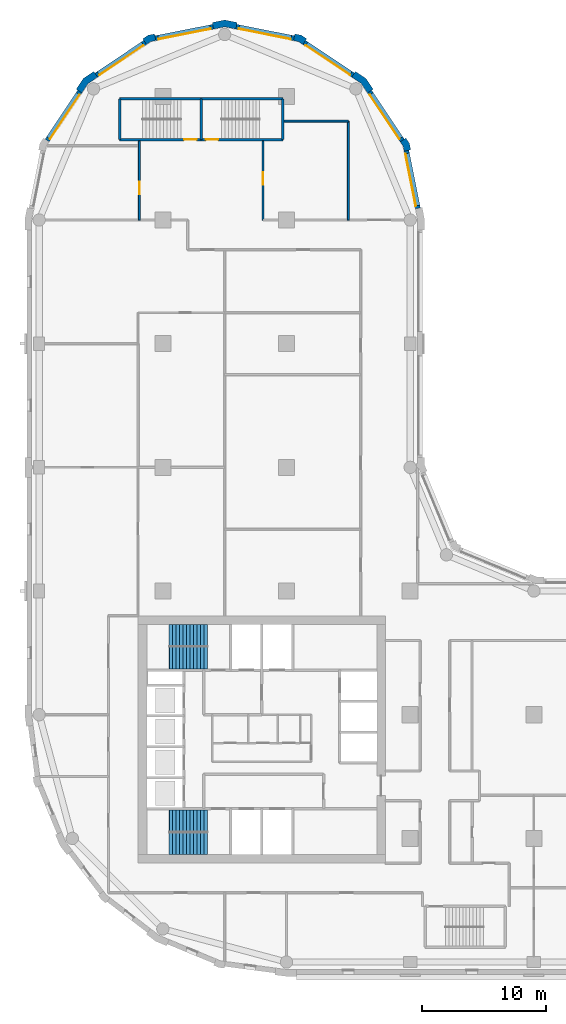
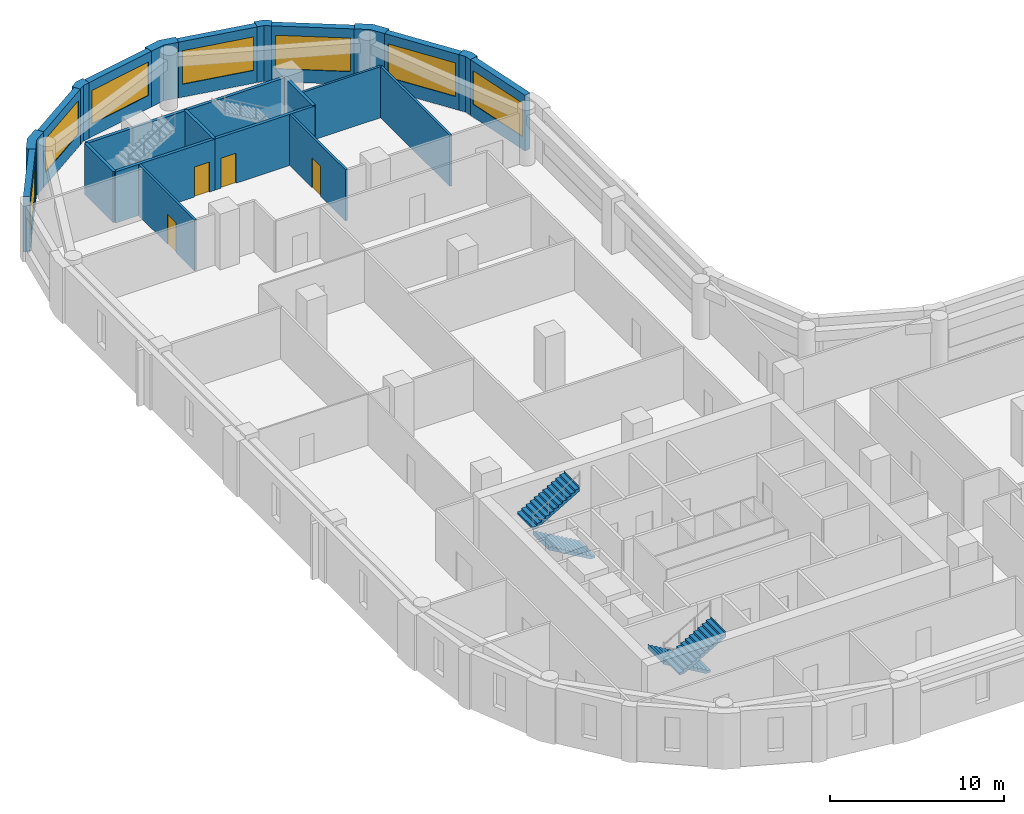
# One storey, part 7 of 10: 24 walls, 7 windows, 4 doors, 4 stair flights, 11 openings, 2 elements without a shape of their own.
"""IFC4 building model written with IfcOpenShell, lengths in metres."""

from ifc_helpers import new_model, si_unit, direction, frame, frame_2d, origin, place, context, subcontext, project, spatial, polyline, rectangle, outline, extrude, material, layer, layer_set, type_object, element, fill, aggregate, save


model = new_model("IFC4")

# Units and contexts
model_context = context("Model", 3, precision=1e-05, world=origin(), true_north=direction((0.0, 1.0)))
body_context = subcontext(model_context, "Body", "Model", "MODEL_VIEW")
ifc_project = project(units=[si_unit("LENGTHUNIT", "METRE"), si_unit("AREAUNIT", "SQUARE_METRE"), si_unit("VOLUMEUNIT", "CUBIC_METRE"), si_unit("PLANEANGLEUNIT", "RADIAN"), si_unit("MASSUNIT", "GRAM", prefix="KILO")], contexts=[model_context])

# Site, building, storey
site_placement = place(None, origin())
site = spatial("IfcSite", under=ifc_project, at=site_placement, CompositionType="ELEMENT")
building_placement = place(site_placement, origin())
building = spatial("IfcBuilding", under=site, at=building_placement, Name="Qaws Garden Tower", CompositionType="ELEMENT")
storey_placement = place(building_placement, frame((0.0, 0.0, 209.699951171875)))
storey = spatial("IfcBuildingStorey", under=building, at=storey_placement, Name="L51", CompositionType="ELEMENT", Elevation=209.699951171875)

# Wall, opening, window
ifc_material_1 = material(Name="Clay facing brick masonry", Category="masonry")
ifc_layer_1 = layer(ifc_material_1, 0.39990234375)
ifc_layer_set_1 = layer_set([ifc_layer_1], Name="Clay facing brick masonry")
wall_type_1 = type_object("IfcWallType", Name="Brick infill wall 400", PredefinedType="SOLIDWALL", material=ifc_layer_set_1)
wall_1_placement = place(storey_placement, frame((30.628662109375, 60.940673828125, 0.0), z_axis=(0.0, 0.0, 1.0), x_axis=(-0.195098533057, 0.98078364709, 0.0)))
wall_1 = element("IfcWall", 1, at=wall_1_placement, inside=storey, type_object=wall_type_1, Name="E-L51-infill-13", PredefinedType="SOLIDWALL", context=body_context, shape_type="SweptSolid", body=[
    extrude(rectangle(XDim=4.752685546875, YDim=0.39990234375, at=frame_2d((2.37646484375, 0.0))), origin(), (0.0, 0.0, 1.0), 3.900146484375),
])
opening_1_placement = place(wall_1_placement, frame((0.226318359375, 0.0, 0.89990234375)))
opening_1 = element("IfcOpeningElement", 2, at=opening_1_placement, cuts=wall_1, Name="Opening W06", PredefinedType="OPENING", context=body_context, shape_type="SweptSolid", body=[
    extrude(rectangle(XDim=4.300048828125, YDim=2.35009765625, at=frame_2d((2.14990234375, 1.175048828125))), frame((0.0, 0.2099609375, 0.0), z_axis=(0.0, -1.0, 0.0), x_axis=(1.0, 0.0, 0.0)), (0.0, 0.0, 1.0), 0.419921875),
])
ifc_material_2 = material(Name="Aluminium framed window, clear glazing", Category="aluminium")
window_type = type_object("IfcWindowType", Name="Ribbon window 4300 x 2350", PartitioningType="DOUBLE_PANEL_VERTICAL", PredefinedType="WINDOW", material=ifc_material_2)
window_1_placement = place(opening_1_placement, origin())
window_1 = element("IfcWindow", 3, at=window_1_placement, inside=storey, type_object=window_type, Name="E-L51-window-13-0", OverallHeight=2.35009765625, OverallWidth=4.300048828125, PartitioningType="SINGLE_PANEL", PredefinedType="WINDOW", context=body_context, shape_type="SweptSolid", body=[
    extrude(rectangle(XDim=4.300048828125, YDim=2.35009765625, at=frame_2d((2.14990234375, 1.175048828125))), frame((0.0, 0.159912109375, 0.0), z_axis=(0.0, -1.0, 0.0), x_axis=(1.0, 0.0, 0.0)), (0.0, 0.0, 1.0), 0.06005859375),
])
fill(opening_1, window_1)

wall_2_placement = place(storey_placement, frame((29.356689453125, 66.43408203125, 0.0), z_axis=(0.0, 0.0, 1.0), x_axis=(-0.555541552266, 0.831488775454, 0.0)))
wall_2 = element("IfcWall", 4, at=wall_2_placement, inside=storey, type_object=wall_type_1, Name="E-L51-infill-14", PredefinedType="SOLIDWALL", context=body_context, shape_type="SweptSolid", body=[
    extrude(rectangle(XDim=4.752685546875, YDim=0.39990234375, at=frame_2d((2.37646484375, 0.0))), origin(), (0.0, 0.0, 1.0), 3.900146484375),
])
opening_2_placement = place(wall_2_placement, frame((0.226318359375, 0.0, 0.89990234375)))
opening_2 = element("IfcOpeningElement", 5, at=opening_2_placement, cuts=wall_2, Name="Opening W06", PredefinedType="OPENING", context=body_context, shape_type="SweptSolid", body=[
    extrude(rectangle(XDim=4.300048828125, YDim=2.35009765625, at=frame_2d((2.14990234375, 1.175048828125))), frame((0.0, 0.2099609375, 0.0), z_axis=(0.0, -1.0, 0.0), x_axis=(1.0, 0.0, 0.0)), (0.0, 0.0, 1.0), 0.419921875),
])
window_2_placement = place(opening_2_placement, origin())
window_2 = element("IfcWindow", 6, at=window_2_placement, inside=storey, type_object=window_type, Name="E-L51-window-14-0", OverallHeight=2.35009765625, OverallWidth=4.300048828125, PartitioningType="SINGLE_PANEL", PredefinedType="WINDOW", context=body_context, shape_type="SweptSolid", body=[
    extrude(rectangle(XDim=4.300048828125, YDim=2.35009765625, at=frame_2d((2.14990234375, 1.175048828125))), frame((0.0, 0.159912109375, 0.0), z_axis=(0.0, -1.0, 0.0), x_axis=(1.0, 0.0, 0.0)), (0.0, 0.0, 1.0), 0.06005859375),
])
fill(opening_2, window_2)

wall_3_placement = place(storey_placement, frame((25.385986328125, 71.71630859375, 0.0), z_axis=(0.0, 0.0, 1.0), x_axis=(-0.831488775454, 0.555541552266, 0.0)))
wall_3 = element("IfcWall", 7, at=wall_3_placement, inside=storey, type_object=wall_type_1, Name="E-L51-infill-15", PredefinedType="SOLIDWALL", context=body_context, shape_type="SweptSolid", body=[
    extrude(rectangle(XDim=4.752685546875, YDim=0.39990234375, at=frame_2d((2.37646484375, 0.0))), origin(), (0.0, 0.0, 1.0), 3.900146484375),
])
opening_3_placement = place(wall_3_placement, frame((0.226318359375, 0.0, 0.89990234375)))
opening_3 = element("IfcOpeningElement", 8, at=opening_3_placement, cuts=wall_3, Name="Opening W06", PredefinedType="OPENING", context=body_context, shape_type="SweptSolid", body=[
    extrude(rectangle(XDim=4.300048828125, YDim=2.35009765625, at=frame_2d((2.14990234375, 1.175048828125))), frame((0.0, 0.2099609375, 0.0), z_axis=(0.0, -1.0, 0.0), x_axis=(1.0, 0.0, 0.0)), (0.0, 0.0, 1.0), 0.419921875),
])
window_3_placement = place(opening_3_placement, origin())
window_3 = element("IfcWindow", 9, at=window_3_placement, inside=storey, type_object=window_type, Name="E-L51-window-15-0", OverallHeight=2.35009765625, OverallWidth=4.300048828125, PartitioningType="SINGLE_PANEL", PredefinedType="WINDOW", context=body_context, shape_type="SweptSolid", body=[
    extrude(rectangle(XDim=4.300048828125, YDim=2.35009765625, at=frame_2d((2.14990234375, 1.175048828125))), frame((0.0, 0.159912109375, 0.0), z_axis=(0.0, -1.0, 0.0), x_axis=(1.0, 0.0, 0.0)), (0.0, 0.0, 1.0), 0.06005859375),
])
fill(opening_3, window_3)

wall_4_placement = place(storey_placement, frame((20.60205078125, 74.701416015625, 0.0), z_axis=(0.0, 0.0, 1.0), x_axis=(-0.98078364709, 0.195098533057, 0.0)))
wall_4 = element("IfcWall", 10, at=wall_4_placement, inside=storey, type_object=wall_type_1, Name="E-L51-infill-16", PredefinedType="SOLIDWALL", context=body_context, shape_type="SweptSolid", body=[
    extrude(rectangle(XDim=4.752685546875, YDim=0.39990234375, at=frame_2d((2.37646484375, 0.0))), origin(), (0.0, 0.0, 1.0), 3.900146484375),
])
opening_4_placement = place(wall_4_placement, frame((0.226318359375, 0.0, 0.89990234375)))
opening_4 = element("IfcOpeningElement", 11, at=opening_4_placement, cuts=wall_4, Name="Opening W06", PredefinedType="OPENING", context=body_context, shape_type="SweptSolid", body=[
    extrude(rectangle(XDim=4.300048828125, YDim=2.35009765625, at=frame_2d((2.14990234375, 1.175048828125))), frame((0.0, 0.2099609375, 0.0), z_axis=(0.0, -1.0, 0.0), x_axis=(1.0, 0.0, 0.0)), (0.0, 0.0, 1.0), 0.419921875),
])
window_4_placement = place(opening_4_placement, origin())
window_4 = element("IfcWindow", 12, at=window_4_placement, inside=storey, type_object=window_type, Name="E-L51-window-16-0", OverallHeight=2.35009765625, OverallWidth=4.300048828125, PartitioningType="SINGLE_PANEL", PredefinedType="WINDOW", context=body_context, shape_type="SweptSolid", body=[
    extrude(rectangle(XDim=4.300048828125, YDim=2.35009765625, at=frame_2d((2.14990234375, 1.175048828125))), frame((0.0, 0.159912109375, 0.0), z_axis=(0.0, -1.0, 0.0), x_axis=(1.0, 0.0, 0.0)), (0.0, 0.0, 1.0), 0.06005859375),
])
fill(opening_4, window_4)

wall_5_placement = place(storey_placement, frame((14.059326171875, 75.628662109375, 0.0), z_axis=(0.0, 0.0, 1.0), x_axis=(-0.98078364709, -0.195098533057, 0.0)))
wall_5 = element("IfcWall", 13, at=wall_5_placement, inside=storey, type_object=wall_type_1, Name="E-L51-infill-17", PredefinedType="SOLIDWALL", context=body_context, shape_type="SweptSolid", body=[
    extrude(rectangle(XDim=4.752685546875, YDim=0.39990234375, at=frame_2d((2.37646484375, 0.0))), origin(), (0.0, 0.0, 1.0), 3.900146484375),
])
opening_5_placement = place(wall_5_placement, frame((0.226318359375, 0.0, 0.89990234375)))
opening_5 = element("IfcOpeningElement", 14, at=opening_5_placement, cuts=wall_5, Name="Opening W06", PredefinedType="OPENING", context=body_context, shape_type="SweptSolid", body=[
    extrude(rectangle(XDim=4.300048828125, YDim=2.35009765625, at=frame_2d((2.14990234375, 1.175048828125))), frame((0.0, 0.2099609375, 0.0), z_axis=(0.0, -1.0, 0.0), x_axis=(1.0, 0.0, 0.0)), (0.0, 0.0, 1.0), 0.419921875),
])
window_5_placement = place(opening_5_placement, origin())
window_5 = element("IfcWindow", 15, at=window_5_placement, inside=storey, type_object=window_type, Name="E-L51-window-17-0", OverallHeight=2.35009765625, OverallWidth=4.300048828125, PartitioningType="SINGLE_PANEL", PredefinedType="WINDOW", context=body_context, shape_type="SweptSolid", body=[
    extrude(rectangle(XDim=4.300048828125, YDim=2.35009765625, at=frame_2d((2.14990234375, 1.175048828125))), frame((0.0, 0.159912109375, 0.0), z_axis=(0.0, -1.0, 0.0), x_axis=(1.0, 0.0, 0.0)), (0.0, 0.0, 1.0), 0.06005859375),
])
fill(opening_5, window_5)

wall_6_placement = place(storey_placement, frame((8.56591796875, 74.356689453125, 0.0), z_axis=(0.0, 0.0, 1.0), x_axis=(-0.831488775454, -0.555541552266, 0.0)))
wall_6 = element("IfcWall", 16, at=wall_6_placement, inside=storey, type_object=wall_type_1, Name="E-L51-infill-18", PredefinedType="SOLIDWALL", context=body_context, shape_type="SweptSolid", body=[
    extrude(rectangle(XDim=4.752685546875, YDim=0.39990234375, at=frame_2d((2.37646484375, 0.0))), origin(), (0.0, 0.0, 1.0), 3.900146484375),
])
opening_6_placement = place(wall_6_placement, frame((0.226318359375, 0.0, 0.89990234375)))
opening_6 = element("IfcOpeningElement", 17, at=opening_6_placement, cuts=wall_6, Name="Opening W06", PredefinedType="OPENING", context=body_context, shape_type="SweptSolid", body=[
    extrude(rectangle(XDim=4.300048828125, YDim=2.35009765625, at=frame_2d((2.14990234375, 1.175048828125))), frame((0.0, 0.2099609375, 0.0), z_axis=(0.0, -1.0, 0.0), x_axis=(1.0, 0.0, 0.0)), (0.0, 0.0, 1.0), 0.419921875),
])
window_6_placement = place(opening_6_placement, origin())
window_6 = element("IfcWindow", 18, at=window_6_placement, inside=storey, type_object=window_type, Name="E-L51-window-18-0", OverallHeight=2.35009765625, OverallWidth=4.300048828125, PartitioningType="SINGLE_PANEL", PredefinedType="WINDOW", context=body_context, shape_type="SweptSolid", body=[
    extrude(rectangle(XDim=4.300048828125, YDim=2.35009765625, at=frame_2d((2.14990234375, 1.175048828125))), frame((0.0, 0.159912109375, 0.0), z_axis=(0.0, -1.0, 0.0), x_axis=(1.0, 0.0, 0.0)), (0.0, 0.0, 1.0), 0.06005859375),
])
fill(opening_6, window_6)

wall_7_placement = place(storey_placement, frame((3.28369140625, 70.385986328125, 0.0), z_axis=(0.0, 0.0, 1.0), x_axis=(-0.555541552266, -0.831488775454, 0.0)))
wall_7 = element("IfcWall", 19, at=wall_7_placement, inside=storey, type_object=wall_type_1, Name="E-L51-infill-19", PredefinedType="SOLIDWALL", context=body_context, shape_type="SweptSolid", body=[
    extrude(rectangle(XDim=4.752685546875, YDim=0.39990234375, at=frame_2d((2.37646484375, 0.0))), origin(), (0.0, 0.0, 1.0), 3.900146484375),
])
opening_7_placement = place(wall_7_placement, frame((0.226318359375, 0.0, 0.89990234375)))
opening_7 = element("IfcOpeningElement", 20, at=opening_7_placement, cuts=wall_7, Name="Opening W06", PredefinedType="OPENING", context=body_context, shape_type="SweptSolid", body=[
    extrude(rectangle(XDim=4.300048828125, YDim=2.35009765625, at=frame_2d((2.14990234375, 1.175048828125))), frame((0.0, 0.2099609375, 0.0), z_axis=(0.0, -1.0, 0.0), x_axis=(1.0, 0.0, 0.0)), (0.0, 0.0, 1.0), 0.419921875),
])
window_7_placement = place(opening_7_placement, origin())
window_7 = element("IfcWindow", 21, at=window_7_placement, inside=storey, type_object=window_type, Name="E-L51-window-19-0", OverallHeight=2.35009765625, OverallWidth=4.300048828125, PartitioningType="SINGLE_PANEL", PredefinedType="WINDOW", context=body_context, shape_type="SweptSolid", body=[
    extrude(rectangle(XDim=4.300048828125, YDim=2.35009765625, at=frame_2d((2.14990234375, 1.175048828125))), frame((0.0, 0.159912109375, 0.0), z_axis=(0.0, -1.0, 0.0), x_axis=(1.0, 0.0, 0.0)), (0.0, 0.0, 1.0), 0.06005859375),
])
fill(opening_7, window_7)

# Walls
ifc_material_3 = material(Name="Clay facing brick masonry", Category="masonry")
ifc_layer_2 = layer(ifc_material_3, 0.550048828125)
ifc_layer_set_2 = layer_set([ifc_layer_2], Name="Clay facing brick masonry")
wall_type_2 = type_object("IfcWallType", Name="Brick kink pier 550 x 600", PredefinedType="SOLIDWALL", material=ifc_layer_set_2)
placement = place(storey_placement, origin())
element("IfcWall", 22, at=placement, inside=storey, type_object=wall_type_2, Name="E-L51-pier-14", PredefinedType="SOLIDWALL", context=body_context, shape_type="SweptSolid", body=[
    extrude(outline(polyline([(29.8974609375, 65.64111328125), (30.044677734375, 65.67041015625), (29.94140625, 66.18896484375), (29.647705078125, 66.628662109375), (29.52294921875, 66.545166015625), (29.1904296875, 66.322998046875), (29.42333984375, 65.974365234375), (29.505126953125, 65.56298828125), (29.8974609375, 65.64111328125)])), origin(), (0.0, 0.0, 1.0), 3.900146484375),
])
element("IfcWall", 23, at=placement, inside=storey, type_object=wall_type_2, Name="E-L51-pier-16", PredefinedType="SOLIDWALL", context=body_context, shape_type="SweptSolid", body=[
    extrude(outline(polyline([(21.545166015625, 74.52294921875), (21.628662109375, 74.647705078125), (21.18896484375, 74.94140625), (20.67041015625, 75.044677734375), (20.64111328125, 74.8974609375), (20.56298828125, 74.505126953125), (20.974365234375, 74.42333984375), (21.322998046875, 74.1904296875), (21.545166015625, 74.52294921875)])), origin(), (0.0, 0.0, 1.0), 3.900146484375),
])
element("IfcWall", 24, at=placement, inside=storey, type_object=wall_type_2, Name="E-L51-pier-18", PredefinedType="SOLIDWALL", context=body_context, shape_type="SweptSolid", body=[
    extrude(outline(polyline([(9.35888671875, 74.8974609375), (9.32958984375, 75.044677734375), (8.81103515625, 74.94140625), (8.371337890625, 74.647705078125), (8.454833984375, 74.52294921875), (8.677001953125, 74.1904296875), (9.025634765625, 74.42333984375), (9.43701171875, 74.505126953125), (9.35888671875, 74.8974609375)])), origin(), (0.0, 0.0, 1.0), 3.900146484375),
])
ifc_material_4 = material(Name="Clay facing brick masonry", Category="masonry")
ifc_layer_3 = layer(ifc_material_4, 0.550048828125)
ifc_layer_set_3 = layer_set([ifc_layer_3], Name="Clay facing brick masonry")
wall_type_3 = type_object("IfcWallType", Name="Brick pier 550 x 1600", PredefinedType="SOLIDWALL", material=ifc_layer_set_3)
element("IfcWall", 25, at=placement, inside=storey, type_object=wall_type_3, Name="E-L51-pier-15", PredefinedType="SOLIDWALL", context=body_context, shape_type="SweptSolid", body=[
    extrude(outline(polyline([(26.882568359375, 70.4970703125), (27.00732421875, 70.580322265625), (26.435791015625, 71.435791015625), (25.580322265625, 72.00732421875), (25.4970703125, 71.882568359375), (25.274658203125, 71.550048828125), (26.0390625, 71.0390625), (26.550048828125, 70.274658203125), (26.882568359375, 70.4970703125)])), origin(), (0.0, 0.0, 1.0), 3.900146484375),
])
element("IfcWall", 26, at=placement, inside=storey, type_object=wall_type_3, Name="E-L51-pier-17", PredefinedType="SOLIDWALL", context=body_context, shape_type="SweptSolid", body=[
    extrude(outline(polyline([(15.979736328125, 75.82470703125), (16.009033203125, 75.971923828125), (15.0, 76.172607421875), (13.990966796875, 75.971923828125), (14.020263671875, 75.82470703125), (14.098388671875, 75.432373046875), (15.0, 75.61181640625), (15.901611328125, 75.432373046875), (15.979736328125, 75.82470703125)])), origin(), (0.0, 0.0, 1.0), 3.900146484375),
])
element("IfcWall", 27, at=placement, inside=storey, type_object=wall_type_3, Name="E-L51-pier-19", PredefinedType="SOLIDWALL", context=body_context, shape_type="SweptSolid", body=[
    extrude(outline(polyline([(4.5029296875, 71.882568359375), (4.419677734375, 72.00732421875), (3.564208984375, 71.435791015625), (2.99267578125, 70.580322265625), (3.117431640625, 70.4970703125), (3.449951171875, 70.274658203125), (3.9609375, 71.0390625), (4.725341796875, 71.550048828125), (4.5029296875, 71.882568359375)])), origin(), (0.0, 0.0, 1.0), 3.900146484375),
])

# Wall, opening, door
ifc_material_5 = material(Name="Concrete C70", Category="concrete")
ifc_layer_4 = layer(ifc_material_5, 0.199951171875)
ifc_layer_set_4 = layer_set([ifc_layer_4], Name="Concrete C70")
wall_type_4 = type_object("IfcWallType", Name="Core shaft wall 200 C70", PredefinedType="SHEAR", material=ifc_layer_set_4)
wall_14_placement = place(storey_placement, frame((6.5, 66.5, 0.0), z_axis=(0.0, 0.0, 1.0), x_axis=(1.0, 0.0, 0.0)))
wall_14 = element("IfcWall", 28, at=wall_14_placement, inside=storey, type_object=wall_type_4, Name="Shaft wall", PredefinedType="SHEAR", context=body_context, shape_type="SweptSolid", body=[
    extrude(rectangle(XDim=6.60009765625, YDim=0.199951171875, at=frame_2d((3.300048828125, 0.0))), origin(), (0.0, 0.0, 1.0), 3.580078125),
])
opening_8_placement = place(wall_14_placement, frame((5.22509765625, 0.0, 0.0)))
opening_8 = element("IfcOpeningElement", 29, at=opening_8_placement, cuts=wall_14, Name="Opening SD13", PredefinedType="OPENING", context=body_context, shape_type="SweptSolid", body=[
    extrude(rectangle(XDim=1.0, YDim=2.10009765625, at=frame_2d((0.5, 1.050048828125))), frame((0.0, 0.10986328125, 0.0), z_axis=(0.0, -1.0, 0.0), x_axis=(1.0, 0.0, 0.0)), (0.0, 0.0, 1.0), 0.219970703125),
])
ifc_material_6 = material(Name="Steel S235", Category="steel")
door_type_1 = type_object("IfcDoorType", Name="Stair door 1000x2100", OperationType="SINGLE_SWING_RIGHT", PredefinedType="DOOR", material=ifc_material_6)
door_1_placement = place(opening_8_placement, origin())
door_1 = element("IfcDoor", 30, at=door_1_placement, inside=storey, type_object=door_type_1, Name="Stair 6 door", OperationType="SINGLE_SWING_RIGHT", OverallHeight=2.10009765625, OverallWidth=1.0, PredefinedType="DOOR", context=body_context, shape_type="SweptSolid", body=[
    extrude(rectangle(XDim=1.0, YDim=2.10009765625, at=frame_2d((0.5, 1.050048828125))), frame((0.0, 0.02490234375, 0.0), z_axis=(0.0, -1.0, 0.0), x_axis=(1.0, 0.0, 0.0)), (0.0, 0.0, 1.0), 0.050048828125),
])
fill(opening_8, door_1)

wall_15_placement = place(storey_placement, frame((13.10009765625, 66.5, 0.0), z_axis=(0.0, 0.0, 1.0), x_axis=(1.0, 0.0, 0.0)))
wall_15 = element("IfcWall", 31, at=wall_15_placement, inside=storey, type_object=wall_type_4, Name="Shaft wall", PredefinedType="SHEAR", context=body_context, shape_type="SweptSolid", body=[
    extrude(rectangle(XDim=6.599853515625, YDim=0.199951171875, at=frame_2d((3.2998046875, 0.0))), origin(), (0.0, 0.0, 1.0), 3.580078125),
])
opening_9_placement = place(wall_15_placement, frame((0.375, 0.0, 0.0)))
opening_9 = element("IfcOpeningElement", 32, at=opening_9_placement, cuts=wall_15, Name="Opening SD14", PredefinedType="OPENING", context=body_context, shape_type="SweptSolid", body=[
    extrude(rectangle(XDim=1.0, YDim=2.10009765625, at=frame_2d((0.5, 1.050048828125))), frame((0.0, 0.10986328125, 0.0), z_axis=(0.0, -1.0, 0.0), x_axis=(1.0, 0.0, 0.0)), (0.0, 0.0, 1.0), 0.219970703125),
])
door_2_placement = place(opening_9_placement, origin())
door_2 = element("IfcDoor", 33, at=door_2_placement, inside=storey, type_object=door_type_1, Name="Stair 7 door", OperationType="SINGLE_SWING_LEFT", OverallHeight=2.10009765625, OverallWidth=1.0, PredefinedType="DOOR", context=body_context, shape_type="SweptSolid", body=[
    extrude(rectangle(XDim=1.0, YDim=2.10009765625, at=frame_2d((0.5, 1.050048828125))), frame((0.0, 0.02490234375, 0.0), z_axis=(0.0, -1.0, 0.0), x_axis=(1.0, 0.0, 0.0)), (0.0, 0.0, 1.0), 0.050048828125),
])
fill(opening_9, door_2)

# Walls
wall_16_placement = place(storey_placement, frame((6.5, 69.800048828125, 0.0), z_axis=(0.0, 0.0, 1.0), x_axis=(1.0, 0.0, 0.0)))
element("IfcWall", 34, at=wall_16_placement, inside=storey, type_object=wall_type_4, Name="Shaft wall", PredefinedType="SHEAR", context=body_context, shape_type="SweptSolid", body=[
    extrude(rectangle(XDim=6.60009765625, YDim=0.199951171875, at=frame_2d((3.300048828125, 0.0))), origin(), (0.0, 0.0, 1.0), 3.580078125),
])
wall_17_placement = place(storey_placement, frame((13.10009765625, 69.800048828125, 0.0), z_axis=(0.0, 0.0, 1.0), x_axis=(1.0, 0.0, 0.0)))
element("IfcWall", 35, at=wall_17_placement, inside=storey, type_object=wall_type_4, Name="Shaft wall", PredefinedType="SHEAR", context=body_context, shape_type="SweptSolid", body=[
    extrude(rectangle(XDim=6.599853515625, YDim=0.199951171875, at=frame_2d((3.2998046875, 0.0))), origin(), (0.0, 0.0, 1.0), 3.580078125),
])
for number, where, z_axis, x_axis, name in (
    (36, (6.5, 66.5, 0.0), (0.0, 0.0, 1.0), (0.0, 1.0, 0.0), "Shaft wall"),
    (37, (13.10009765625, 66.5, 0.0), (0.0, 0.0, 1.0), (0.0, 1.0, 0.0), "Shaft wall"),
    (38, (19.699951171875, 66.5, 0.0), (0.0, 0.0, 1.0), (0.0, 1.0, 0.0), "Shaft wall"),
):
    element("IfcWall", number, at=place(storey_placement, frame(where, z_axis=z_axis, x_axis=x_axis)), inside=storey, type_object=wall_type_4, Name=name, PredefinedType="SHEAR", context=body_context, shape_type="SweptSolid", body=[
        extrude(rectangle(XDim=3.300048828125, YDim=0.199951171875, at=frame_2d((1.64990234375, 0.0))), origin(), (0.0, 0.0, 1.0), 3.580078125),
    ])

# Wall, opening, door
ifc_material_7 = material(Name="Gypsum board partition")
ifc_layer_5 = layer(ifc_material_7, 0.14990234375)
ifc_layer_set_5 = layer_set([ifc_layer_5], Name="Gypsum board partition")
wall_type_5 = type_object("IfcWallType", Name="PARTITION 150 EI 60", PredefinedType="PARTITIONING", material=ifc_layer_set_5)
wall_18_placement = place(storey_placement, frame((8.10009765625, 60.0, 0.0), z_axis=(0.0, 0.0, 1.0), x_axis=(0.0, 1.0, 0.0)))
wall_18 = element("IfcWall", 39, at=wall_18_placement, inside=storey, type_object=wall_type_5, Name="O-L51-wall-012", PredefinedType="PARTITIONING", context=body_context, shape_type="SweptSolid", body=[
    extrude(rectangle(XDim=6.39990234375, YDim=0.14990234375, at=frame_2d((3.199951171875, 0.0))), origin(), (0.0, 0.0, 1.0), 3.580078125),
])
opening_10_placement = place(wall_18_placement, frame((2.10009765625, 0.0, 0.0)))
opening_10 = element("IfcOpeningElement", 40, at=opening_10_placement, cuts=wall_18, Name="Opening B712", PredefinedType="OPENING", context=body_context, shape_type="SweptSolid", body=[
    extrude(rectangle(XDim=1.0, YDim=2.10009765625, at=frame_2d((0.5, 1.050048828125))), frame((0.0, 0.0849609375, 0.0), z_axis=(0.0, -1.0, 0.0), x_axis=(1.0, 0.0, 0.0)), (0.0, 0.0, 1.0), 0.169921875),
])
ifc_material_8 = material(Name="Timber door leaf", Category="wood")
door_type_2 = type_object("IfcDoorType", Name="TENANCY ENTRANCE DOOR 1000 X 2100", OperationType="SINGLE_SWING_LEFT", PredefinedType="DOOR", material=ifc_material_8)
door_3_placement = place(opening_10_placement, origin())
door_3 = element("IfcDoor", 41, at=door_3_placement, inside=storey, type_object=door_type_2, Name="O-L51-door-012", OperationType="SINGLE_SWING_LEFT", OverallHeight=2.10009765625, OverallWidth=1.0, PredefinedType="DOOR", context=body_context, shape_type="SweptSolid", body=[
    extrude(rectangle(XDim=1.0, YDim=2.10009765625, at=frame_2d((0.5, 1.050048828125))), frame((0.0, 0.02490234375, 0.0), z_axis=(0.0, -1.0, 0.0), x_axis=(1.0, 0.0, 0.0)), (0.0, 0.0, 1.0), 0.050048828125),
])
fill(opening_10, door_3)

wall_19_placement = place(storey_placement, frame((18.10009765625, 60.0, 0.0), z_axis=(0.0, 0.0, 1.0), x_axis=(0.0, 1.0, 0.0)))
wall_19 = element("IfcWall", 42, at=wall_19_placement, inside=storey, type_object=wall_type_5, Name="O-L51-wall-016", PredefinedType="PARTITIONING", context=body_context, shape_type="SweptSolid", body=[
    extrude(rectangle(XDim=6.39990234375, YDim=0.14990234375, at=frame_2d((3.199951171875, 0.0))), origin(), (0.0, 0.0, 1.0), 3.580078125),
])
opening_11_placement = place(wall_19_placement, frame((2.85009765625, 0.0, 0.0)))
opening_11 = element("IfcOpeningElement", 43, at=opening_11_placement, cuts=wall_19, Name="Opening B713", PredefinedType="OPENING", context=body_context, shape_type="SweptSolid", body=[
    extrude(rectangle(XDim=1.0, YDim=2.10009765625, at=frame_2d((0.5, 1.050048828125))), frame((0.0, 0.0849609375, 0.0), z_axis=(0.0, -1.0, 0.0), x_axis=(1.0, 0.0, 0.0)), (0.0, 0.0, 1.0), 0.169921875),
])
door_4_placement = place(opening_11_placement, frame((1.0, 0.0, 0.0), z_axis=(0.0, 0.0, 1.0), x_axis=(-1.0, 0.0, 0.0)))
door_4 = element("IfcDoor", 44, at=door_4_placement, inside=storey, type_object=door_type_2, Name="O-L51-door-013", OperationType="SINGLE_SWING_RIGHT", OverallHeight=2.10009765625, OverallWidth=1.0, PredefinedType="DOOR", context=body_context, shape_type="SweptSolid", body=[
    extrude(rectangle(XDim=1.0, YDim=2.10009765625, at=frame_2d((0.5, 1.050048828125))), frame((0.0, 0.02490234375, 0.0), z_axis=(0.0, -1.0, 0.0), x_axis=(1.0, 0.0, 0.0)), (0.0, 0.0, 1.0), 0.050048828125),
])
fill(opening_11, door_4)

# Walls
wall_20_placement = place(storey_placement, frame((25.0, 60.0, 0.0), z_axis=(0.0, 0.0, 1.0), x_axis=(0.0, 1.0, 0.0)))
element("IfcWall", 45, at=wall_20_placement, inside=storey, type_object=wall_type_5, Name="O-L51-wall-018", PredefinedType="PARTITIONING", context=body_context, shape_type="SweptSolid", body=[
    extrude(rectangle(XDim=8.0, YDim=0.14990234375, at=frame_2d((4.0, 0.0))), origin(), (0.0, 0.0, 1.0), 3.580078125),
])
wall_21_placement = place(storey_placement, frame((19.800048828125, 68.0, 0.0), z_axis=(0.0, 0.0, 1.0), x_axis=(1.0, 0.0, 0.0)))
element("IfcWall", 46, at=wall_21_placement, inside=storey, type_object=wall_type_5, Name="O-L51-wall-062", PredefinedType="PARTITIONING", context=body_context, shape_type="SweptSolid", body=[
    extrude(rectangle(XDim=5.199951171875, YDim=0.14990234375, at=frame_2d((2.60009765625, 0.0))), origin(), (0.0, 0.0, 1.0), 3.580078125),
])

# Stair, stair flights
ifc_material_9 = material(Name="Concrete C40", Category="concrete")
stair_type = type_object("IfcStairType", Name="Exit stair 1500", PredefinedType="HALF_TURN_STAIR", material=ifc_material_9)
stair_1 = element("IfcStair", 47, at=placement, inside=storey, type_object=stair_type, Name="Stair 1", PredefinedType="HALF_TURN_STAIR")
ifc_material_10 = material(Name="Concrete C40", Category="concrete")
stair_flight_type = type_object("IfcStairFlightType", Name="Stair flight 1500", PredefinedType="STRAIGHT", material=ifc_material_10)
stair_flight_1_placement = place(storey_placement, frame((13.60009765625, 11.39990234375, 0.0), z_axis=(0.0, 0.0, 1.0), x_axis=(-1.0, 0.0, 0.0)))
stair_flight_1 = element("IfcStairFlight", 48, at=stair_flight_1_placement, type_object=stair_flight_type, Name="ST1 flight 1", NumberOfRisers=12, NumberOfTreads=11, PredefinedType="STRAIGHT", RiserHeight=0.1625, TreadLength=0.28, context=body_context, shape_type="SweptSolid", body=[
    extrude(outline(polyline([(-0.0029296875, 0.0), (-0.0029296875, 0.16259765625), (0.0, 0.16259765625), (0.280029296875, 0.16259765625), (0.280029296875, 0.324951171875), (0.56005859375, 0.324951171875), (0.56005859375, 0.487548828125), (0.840087890625, 0.487548828125), (0.840087890625, 0.64990234375), (1.1201171875, 0.64990234375), (1.1201171875, 0.8125), (1.39990234375, 0.8125), (1.39990234375, 0.97509765625), (1.679931640625, 0.97509765625), (1.679931640625, 1.137451171875), (1.9599609375, 1.137451171875), (1.9599609375, 1.300048828125), (2.239990234375, 1.300048828125), (2.239990234375, 1.46240234375), (2.52001953125, 1.46240234375), (2.52001953125, 1.625), (2.800048828125, 1.625), (2.800048828125, 1.78759765625), (3.080078125, 1.78759765625), (3.080078125, 1.949951171875), (3.0830078125, 1.949951171875), (3.0830078125, 1.6142578125), (3.080078125, 1.6142578125), (0.298583984375, 0.0), (-0.0029296875, 0.0)])), frame((0.0, 0.89990234375, 0.0), z_axis=(0.0, -1.0, 0.0), x_axis=(1.0, 0.0, 0.0)), (0.0, 0.0, 1.0), 1.800048828125),
])
stair_flight_2_placement = place(storey_placement, frame((10.52001953125, 9.60009765625, 1.949951171875), z_axis=(0.0, 0.0, 1.0), x_axis=(1.0, 0.0, 0.0)))
stair_flight_2 = element("IfcStairFlight", 49, at=stair_flight_2_placement, type_object=stair_flight_type, Name="ST1 flight 2", NumberOfRisers=12, NumberOfTreads=11, PredefinedType="STRAIGHT", RiserHeight=0.1625, TreadLength=0.28, context=body_context, shape_type="SweptSolid", body=[
    extrude(outline(polyline([(-0.0029296875, 0.0), (-0.0029296875, 0.16259765625), (0.0, 0.16259765625), (0.280029296875, 0.16259765625), (0.280029296875, 0.324951171875), (0.56005859375, 0.324951171875), (0.56005859375, 0.487548828125), (0.840087890625, 0.487548828125), (0.840087890625, 0.64990234375), (1.1201171875, 0.64990234375), (1.1201171875, 0.8125), (1.39990234375, 0.8125), (1.39990234375, 0.97509765625), (1.679931640625, 0.97509765625), (1.679931640625, 1.137451171875), (1.9599609375, 1.137451171875), (1.9599609375, 1.300048828125), (2.239990234375, 1.300048828125), (2.239990234375, 1.46240234375), (2.52001953125, 1.46240234375), (2.52001953125, 1.625), (2.800048828125, 1.625), (2.800048828125, 1.78759765625), (3.080078125, 1.78759765625), (3.080078125, 1.949951171875), (3.0830078125, 1.949951171875), (3.0830078125, 1.6142578125), (3.080078125, 1.6142578125), (0.298583984375, 0.0), (-0.0029296875, 0.0)])), frame((0.0, 0.89990234375, 0.0), z_axis=(0.0, -1.0, 0.0), x_axis=(1.0, 0.0, 0.0)), (0.0, 0.0, 1.0), 1.800048828125),
])
aggregate(stair_1, [stair_flight_1, stair_flight_2])

stair_2 = element("IfcStair", 50, at=placement, inside=storey, type_object=stair_type, Name="Stair 4", PredefinedType="HALF_TURN_STAIR")
stair_flight_3_placement = place(storey_placement, frame((13.60009765625, 24.60009765625, 0.0), z_axis=(0.0, 0.0, 1.0), x_axis=(-1.0, 0.0, 0.0)))
stair_flight_3 = element("IfcStairFlight", 51, at=stair_flight_3_placement, type_object=stair_flight_type, Name="ST4 flight 1", NumberOfRisers=12, NumberOfTreads=11, PredefinedType="STRAIGHT", RiserHeight=0.1625, TreadLength=0.28, context=body_context, shape_type="SweptSolid", body=[
    extrude(outline(polyline([(-0.0029296875, 0.0), (-0.0029296875, 0.16259765625), (0.0, 0.16259765625), (0.280029296875, 0.16259765625), (0.280029296875, 0.324951171875), (0.56005859375, 0.324951171875), (0.56005859375, 0.487548828125), (0.840087890625, 0.487548828125), (0.840087890625, 0.64990234375), (1.1201171875, 0.64990234375), (1.1201171875, 0.8125), (1.39990234375, 0.8125), (1.39990234375, 0.97509765625), (1.679931640625, 0.97509765625), (1.679931640625, 1.137451171875), (1.9599609375, 1.137451171875), (1.9599609375, 1.300048828125), (2.239990234375, 1.300048828125), (2.239990234375, 1.46240234375), (2.52001953125, 1.46240234375), (2.52001953125, 1.625), (2.800048828125, 1.625), (2.800048828125, 1.78759765625), (3.080078125, 1.78759765625), (3.080078125, 1.949951171875), (3.0830078125, 1.949951171875), (3.0830078125, 1.6142578125), (3.080078125, 1.6142578125), (0.298583984375, 0.0), (-0.0029296875, 0.0)])), frame((0.0, 0.89501953125, 0.0), z_axis=(0.0, -1.0, 0.0), x_axis=(1.0, 0.0, 0.0)), (0.0, 0.0, 1.0), 1.7900390625),
])
stair_flight_4_placement = place(storey_placement, frame((10.52001953125, 26.39990234375, 1.949951171875), z_axis=(0.0, 0.0, 1.0), x_axis=(1.0, 0.0, 0.0)))
stair_flight_4 = element("IfcStairFlight", 52, at=stair_flight_4_placement, type_object=stair_flight_type, Name="ST4 flight 2", NumberOfRisers=12, NumberOfTreads=11, PredefinedType="STRAIGHT", RiserHeight=0.1625, TreadLength=0.28, context=body_context, shape_type="SweptSolid", body=[
    extrude(outline(polyline([(-0.0029296875, 0.0), (-0.0029296875, 0.16259765625), (0.0, 0.16259765625), (0.280029296875, 0.16259765625), (0.280029296875, 0.324951171875), (0.56005859375, 0.324951171875), (0.56005859375, 0.487548828125), (0.840087890625, 0.487548828125), (0.840087890625, 0.64990234375), (1.1201171875, 0.64990234375), (1.1201171875, 0.8125), (1.39990234375, 0.8125), (1.39990234375, 0.97509765625), (1.679931640625, 0.97509765625), (1.679931640625, 1.137451171875), (1.9599609375, 1.137451171875), (1.9599609375, 1.300048828125), (2.239990234375, 1.300048828125), (2.239990234375, 1.46240234375), (2.52001953125, 1.46240234375), (2.52001953125, 1.625), (2.800048828125, 1.625), (2.800048828125, 1.78759765625), (3.080078125, 1.78759765625), (3.080078125, 1.949951171875), (3.0830078125, 1.949951171875), (3.0830078125, 1.6142578125), (3.080078125, 1.6142578125), (0.298583984375, 0.0), (-0.0029296875, 0.0)])), frame((0.0, 0.89501953125, 0.0), z_axis=(0.0, -1.0, 0.0), x_axis=(1.0, 0.0, 0.0)), (0.0, 0.0, 1.0), 1.7900390625),
])
aggregate(stair_2, [stair_flight_3, stair_flight_4])

save(model, "model.ifc")
